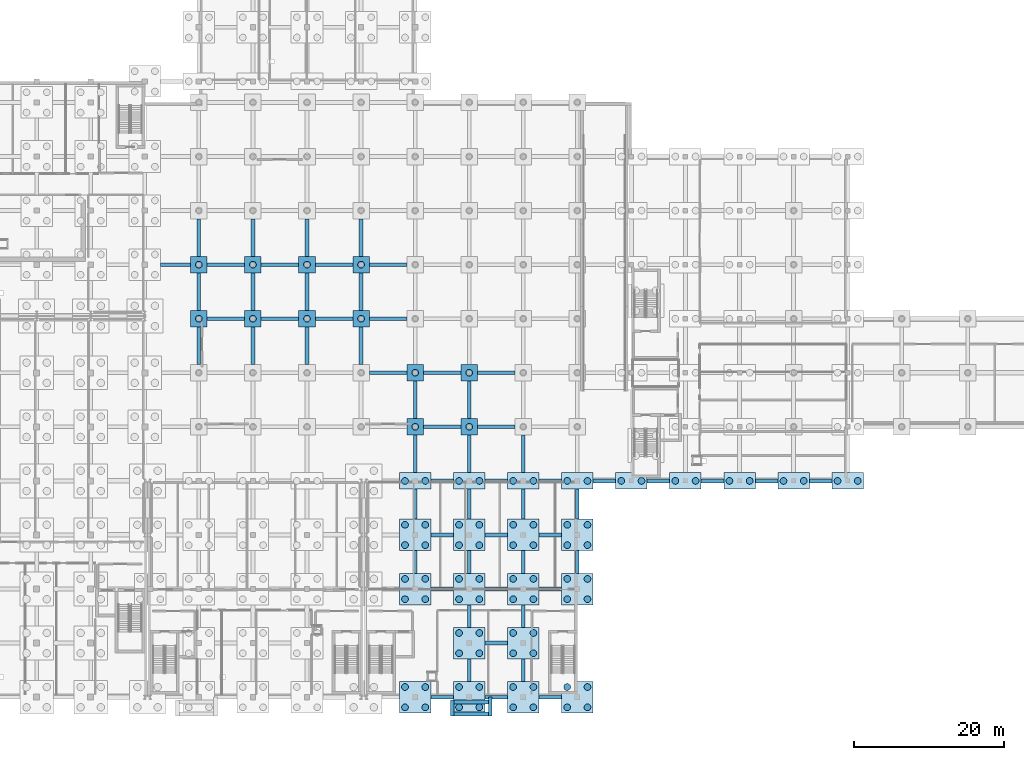
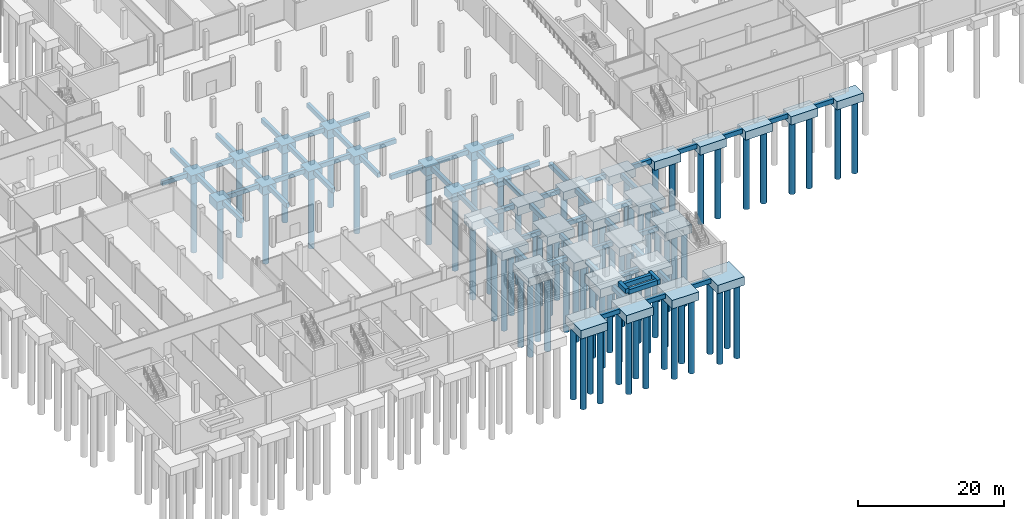
# One storey, part 4 of 35: 100 footings, 86 piles.
"""IFC4 building model written with IfcOpenShell, lengths in metres."""

from ifc_helpers import new_model, si_unit, direction, frame, origin, origin_2d, place, context, subcontext, project, spatial, rectangle, circle, extrude, material, material_profile, profile_set, type_object, element, save


model = new_model("IFC4")

# Units and contexts
model_context = context("Model", 3, precision=1e-05, world=origin(), true_north=direction((0.0, 1.0)))
body_context = subcontext(model_context, "Body", "Model", "MODEL_VIEW")
ifc_project = project(units=[si_unit("LENGTHUNIT", "METRE"), si_unit("AREAUNIT", "SQUARE_METRE"), si_unit("VOLUMEUNIT", "CUBIC_METRE"), si_unit("PLANEANGLEUNIT", "RADIAN"), si_unit("MASSUNIT", "GRAM", prefix="KILO")], contexts=[model_context])

# Site, building, storey
site_placement = place(None, origin())
site = spatial("IfcSite", under=ifc_project, at=site_placement, CompositionType="ELEMENT")
building_placement = place(site_placement, origin())
building = spatial("IfcBuilding", under=site, at=building_placement, Name="Zarrinpeak Specialist Clinic", CompositionType="ELEMENT")
storey_placement = place(building_placement, frame((0.0, 0.0, -4.800048828125)))
storey = spatial("IfcBuildingStorey", under=building, at=storey_placement, Name="B01", CompositionType="ELEMENT", Elevation=-4.800048828125)

# Footings
ifc_material = material(Name="Concrete C40/50", Category="concrete")
ifc_material_profile_1 = material_profile(ifc_material, rectangle(XDim=0.5, YDim=0.75, at=origin_2d()), Name="RC 500x750")
ifc_profile_set_1 = profile_set([ifc_material_profile_1], Name="Concrete C40/50")
footing_type_1 = type_object("IfcFootingType", Name="FT-GB1", PredefinedType="FOOTING_BEAM", material=ifc_profile_set_1)
for number, where, z_axis, x_axis, name in (
    (1, (66.89990234375, 0.0, -0.77490234375), (1.0, 0.0, 0.0), (0.0, 1.0, 0.0), "Continuous Ground Tie Beam GB-010"),
    (2, (74.10009765625, 0.0, -0.77490234375), (1.0, 0.0, 0.0), (0.0, 1.0, 0.0), "Continuous Ground Tie Beam GB-011"),
    (3, (81.300048828125, 0.0, -0.77490234375), (1.0, 0.0, 0.0), (0.0, 1.0, 0.0), "Continuous Ground Tie Beam GB-012"),
    (4, (74.10009765625, 7.199951171875, -0.77490234375), (1.0, 0.0, 0.0), (0.0, 1.0, 0.0), "Continuous Ground Tie Beam GB-017"),
    (5, (66.89990234375, 14.39990234375, -0.77490234375), (1.0, 0.0, 0.0), (0.0, 1.0, 0.0), "Continuous Ground Tie Beam GB-026"),
    (6, (74.10009765625, 14.39990234375, -0.77490234375), (1.0, 0.0, 0.0), (0.0, 1.0, 0.0), "Continuous Ground Tie Beam GB-027"),
    (7, (81.300048828125, 14.39990234375, -0.77490234375), (1.0, 0.0, 0.0), (0.0, 1.0, 0.0), "Continuous Ground Tie Beam GB-028"),
    (8, (66.89990234375, 21.60009765625, -0.77490234375), (1.0, 0.0, 0.0), (0.0, 1.0, 0.0), "Continuous Ground Tie Beam GB-038"),
    (9, (74.10009765625, 21.60009765625, -0.77490234375), (1.0, 0.0, 0.0), (0.0, 1.0, 0.0), "Continuous Ground Tie Beam GB-039"),
    (10, (81.300048828125, 21.60009765625, -0.77490234375), (1.0, 0.0, 0.0), (0.0, 1.0, 0.0), "Continuous Ground Tie Beam GB-040"),
    (11, (66.89990234375, 28.800048828125, -0.77490234375), (1.0, 0.0, 0.0), (0.0, 1.0, 0.0), "Continuous Ground Tie Beam GB-050"),
    (12, (74.10009765625, 28.800048828125, -0.77490234375), (1.0, 0.0, 0.0), (0.0, 1.0, 0.0), "Continuous Ground Tie Beam GB-051"),
    (13, (81.300048828125, 28.800048828125, -0.77490234375), (1.0, 0.0, 0.0), (0.0, 1.0, 0.0), "Continuous Ground Tie Beam GB-052"),
    (14, (88.5, 28.800048828125, -0.77490234375), (1.0, 0.0, 0.0), (0.0, 1.0, 0.0), "Continuous Ground Tie Beam GB-053"),
    (15, (95.699951171875, 28.800048828125, -0.77490234375), (1.0, 0.0, 0.0), (0.0, 1.0, 0.0), "Continuous Ground Tie Beam GB-054"),
    (16, (102.89990234375, 28.800048828125, -0.77490234375), (1.0, 0.0, 0.0), (0.0, 1.0, 0.0), "Continuous Ground Tie Beam GB-055"),
    (17, (110.10009765625, 28.800048828125, -0.77490234375), (1.0, 0.0, 0.0), (0.0, 1.0, 0.0), "Continuous Ground Tie Beam GB-056"),
    (18, (117.300048828125, 28.800048828125, -0.77490234375), (1.0, 0.0, 0.0), (0.0, 1.0, 0.0), "Continuous Ground Tie Beam GB-057"),
):
    element("IfcFooting", number, at=place(storey_placement, frame(where, z_axis=z_axis, x_axis=x_axis)), inside=storey, type_object=footing_type_1, Name=name, PredefinedType="FOOTING_BEAM", context=body_context, shape_type="SweptSolid", body=[
        extrude(rectangle(XDim=0.5, YDim=0.75, at=origin_2d()), origin(), (0.0, 0.0, 1.0), 3.0),
    ])
for number, where, z_axis, x_axis, name in (
    (19, (65.89990234375, 36.0, -0.77490234375), (1.0, 0.0, 0.0), (0.0, 1.0, 0.0), "Continuous Ground Tie Beam GB-067"),
    (20, (73.10009765625, 36.0, -0.77490234375), (1.0, 0.0, 0.0), (0.0, 1.0, 0.0), "Continuous Ground Tie Beam GB-068"),
    (21, (58.699951171875, 43.199951171875, -0.77490234375), (1.0, 0.0, 0.0), (0.0, 1.0, 0.0), "Continuous Ground Tie Beam GB-088"),
    (22, (65.89990234375, 43.199951171875, -0.77490234375), (1.0, 0.0, 0.0), (0.0, 1.0, 0.0), "Continuous Ground Tie Beam GB-089"),
    (23, (73.10009765625, 43.199951171875, -0.77490234375), (1.0, 0.0, 0.0), (0.0, 1.0, 0.0), "Continuous Ground Tie Beam GB-090"),
    (24, (37.10009765625, 50.39990234375, -0.77490234375), (1.0, 0.0, 0.0), (0.0, 1.0, 0.0), "Continuous Ground Tie Beam GB-104"),
    (25, (44.300048828125, 50.39990234375, -0.77490234375), (1.0, 0.0, 0.0), (0.0, 1.0, 0.0), "Continuous Ground Tie Beam GB-105"),
    (26, (51.5, 50.39990234375, -0.77490234375), (1.0, 0.0, 0.0), (0.0, 1.0, 0.0), "Continuous Ground Tie Beam GB-106"),
    (27, (58.699951171875, 50.39990234375, -0.77490234375), (1.0, 0.0, 0.0), (0.0, 1.0, 0.0), "Continuous Ground Tie Beam GB-107"),
):
    element("IfcFooting", number, at=place(storey_placement, frame(where, z_axis=z_axis, x_axis=x_axis)), inside=storey, type_object=footing_type_1, Name=name, PredefinedType="FOOTING_BEAM", context=body_context, shape_type="SweptSolid", body=[
        extrude(rectangle(XDim=0.5, YDim=0.75, at=origin_2d()), origin(), (0.0, 0.0, 1.0), 5.0),
    ])
footing_1_placement = place(storey_placement, frame((30.89990234375, 57.60009765625, -0.77490234375), z_axis=(1.0, 0.0, 0.0), x_axis=(0.0, 1.0, 0.0)))
element("IfcFooting", 28, at=footing_1_placement, inside=storey, type_object=footing_type_1, Name="Continuous Ground Tie Beam GB-129", PredefinedType="FOOTING_BEAM", context=body_context, shape_type="SweptSolid", body=[
    extrude(rectangle(XDim=0.5, YDim=0.75, at=origin_2d()), origin(), (0.0, 0.0, 1.0), 4.0),
])
for number, where, z_axis, x_axis, name in (
    (29, (37.10009765625, 57.60009765625, -0.77490234375), (1.0, 0.0, 0.0), (0.0, 1.0, 0.0), "Continuous Ground Tie Beam GB-130"),
    (30, (44.300048828125, 57.60009765625, -0.77490234375), (1.0, 0.0, 0.0), (0.0, 1.0, 0.0), "Continuous Ground Tie Beam GB-131"),
    (31, (51.5, 57.60009765625, -0.77490234375), (1.0, 0.0, 0.0), (0.0, 1.0, 0.0), "Continuous Ground Tie Beam GB-132"),
    (32, (58.699951171875, 57.60009765625, -0.77490234375), (1.0, 0.0, 0.0), (0.0, 1.0, 0.0), "Continuous Ground Tie Beam GB-133"),
    (33, (36.0, 44.300048828125, -0.77490234375), (0.0, 1.0, 0.0), (-1.0, 0.0, 0.0), "Continuous Ground Tie Beam GB-260"),
    (34, (36.0, 51.5, -0.77490234375), (0.0, 1.0, 0.0), (-1.0, 0.0, 0.0), "Continuous Ground Tie Beam GB-261"),
    (35, (36.0, 58.699951171875, -0.77490234375), (0.0, 1.0, 0.0), (-1.0, 0.0, 0.0), "Continuous Ground Tie Beam GB-262"),
    (36, (43.199951171875, 44.300048828125, -0.77490234375), (0.0, 1.0, 0.0), (-1.0, 0.0, 0.0), "Continuous Ground Tie Beam GB-274"),
    (37, (43.199951171875, 51.5, -0.77490234375), (0.0, 1.0, 0.0), (-1.0, 0.0, 0.0), "Continuous Ground Tie Beam GB-275"),
    (38, (43.199951171875, 58.699951171875, -0.77490234375), (0.0, 1.0, 0.0), (-1.0, 0.0, 0.0), "Continuous Ground Tie Beam GB-276"),
    (39, (50.39990234375, 44.300048828125, -0.77490234375), (0.0, 1.0, 0.0), (-1.0, 0.0, 0.0), "Continuous Ground Tie Beam GB-290"),
    (40, (50.39990234375, 51.5, -0.77490234375), (0.0, 1.0, 0.0), (-1.0, 0.0, 0.0), "Continuous Ground Tie Beam GB-291"),
    (41, (50.39990234375, 58.699951171875, -0.77490234375), (0.0, 1.0, 0.0), (-1.0, 0.0, 0.0), "Continuous Ground Tie Beam GB-292"),
    (42, (57.60009765625, 44.300048828125, -0.77490234375), (0.0, 1.0, 0.0), (-1.0, 0.0, 0.0), "Continuous Ground Tie Beam GB-301"),
    (43, (57.60009765625, 51.5, -0.77490234375), (0.0, 1.0, 0.0), (-1.0, 0.0, 0.0), "Continuous Ground Tie Beam GB-302"),
    (44, (57.60009765625, 58.699951171875, -0.77490234375), (0.0, 1.0, 0.0), (-1.0, 0.0, 0.0), "Continuous Ground Tie Beam GB-303"),
):
    element("IfcFooting", number, at=place(storey_placement, frame(where, z_axis=z_axis, x_axis=x_axis)), inside=storey, type_object=footing_type_1, Name=name, PredefinedType="FOOTING_BEAM", context=body_context, shape_type="SweptSolid", body=[
        extrude(rectangle(XDim=0.5, YDim=0.75, at=origin_2d()), origin(), (0.0, 0.0, 1.0), 5.0),
    ])
footing_2_placement = place(storey_placement, frame((64.800048828125, 16.5, -0.77490234375), z_axis=(0.0, 1.0, 0.0), x_axis=(-1.0, 0.0, 0.0)))
element("IfcFooting", 45, at=footing_2_placement, inside=storey, type_object=footing_type_1, Name="Continuous Ground Tie Beam GB-313", PredefinedType="FOOTING_BEAM", context=body_context, shape_type="SweptSolid", body=[
    extrude(rectangle(XDim=0.5, YDim=0.75, at=origin_2d()), origin(), (0.0, 0.0, 1.0), 3.0),
])
footing_3_placement = place(storey_placement, frame((64.800048828125, 23.699951171875, -0.77490234375), z_axis=(0.0, 1.0, 0.0), x_axis=(-1.0, 0.0, 0.0)))
element("IfcFooting", 46, at=footing_3_placement, inside=storey, type_object=footing_type_1, Name="Continuous Ground Tie Beam GB-314", PredefinedType="FOOTING_BEAM", context=body_context, shape_type="SweptSolid", body=[
    extrude(rectangle(XDim=0.5, YDim=0.75, at=origin_2d()), origin(), (0.0, 0.0, 1.0), 4.0),
])
for number, where, z_axis, x_axis, name in (
    (47, (64.800048828125, 29.89990234375, -0.77490234375), (0.0, 1.0, 0.0), (-1.0, 0.0, 0.0), "Continuous Ground Tie Beam GB-315"),
    (48, (64.800048828125, 37.10009765625, -0.77490234375), (0.0, 1.0, 0.0), (-1.0, 0.0, 0.0), "Continuous Ground Tie Beam GB-316"),
):
    element("IfcFooting", number, at=place(storey_placement, frame(where, z_axis=z_axis, x_axis=x_axis)), inside=storey, type_object=footing_type_1, Name=name, PredefinedType="FOOTING_BEAM", context=body_context, shape_type="SweptSolid", body=[
        extrude(rectangle(XDim=0.5, YDim=0.75, at=origin_2d()), origin(), (0.0, 0.0, 1.0), 5.0),
    ])
for number, where, z_axis, x_axis, name in (
    (49, (72.0, 2.10009765625, -0.77490234375), (0.0, 1.0, 0.0), (-1.0, 0.0, 0.0), "Continuous Ground Tie Beam GB-325"),
    (50, (72.0, 9.300048828125, -0.77490234375), (0.0, 1.0, 0.0), (-1.0, 0.0, 0.0), "Continuous Ground Tie Beam GB-326"),
    (51, (72.0, 16.5, -0.77490234375), (0.0, 1.0, 0.0), (-1.0, 0.0, 0.0), "Continuous Ground Tie Beam GB-327"),
):
    element("IfcFooting", number, at=place(storey_placement, frame(where, z_axis=z_axis, x_axis=x_axis)), inside=storey, type_object=footing_type_1, Name=name, PredefinedType="FOOTING_BEAM", context=body_context, shape_type="SweptSolid", body=[
        extrude(rectangle(XDim=0.5, YDim=0.75, at=origin_2d()), origin(), (0.0, 0.0, 1.0), 3.0),
    ])
footing_4_placement = place(storey_placement, frame((72.0, 23.699951171875, -0.77490234375), z_axis=(0.0, 1.0, 0.0), x_axis=(-1.0, 0.0, 0.0)))
element("IfcFooting", 52, at=footing_4_placement, inside=storey, type_object=footing_type_1, Name="Continuous Ground Tie Beam GB-328", PredefinedType="FOOTING_BEAM", context=body_context, shape_type="SweptSolid", body=[
    extrude(rectangle(XDim=0.5, YDim=0.75, at=origin_2d()), origin(), (0.0, 0.0, 1.0), 4.0),
])
for number, where, z_axis, x_axis, name in (
    (53, (72.0, 29.89990234375, -0.77490234375), (0.0, 1.0, 0.0), (-1.0, 0.0, 0.0), "Continuous Ground Tie Beam GB-329"),
    (54, (72.0, 37.10009765625, -0.77490234375), (0.0, 1.0, 0.0), (-1.0, 0.0, 0.0), "Continuous Ground Tie Beam GB-330"),
):
    element("IfcFooting", number, at=place(storey_placement, frame(where, z_axis=z_axis, x_axis=x_axis)), inside=storey, type_object=footing_type_1, Name=name, PredefinedType="FOOTING_BEAM", context=body_context, shape_type="SweptSolid", body=[
        extrude(rectangle(XDim=0.5, YDim=0.75, at=origin_2d()), origin(), (0.0, 0.0, 1.0), 5.0),
    ])
for number, where, z_axis, x_axis, name in (
    (55, (79.199951171875, 2.10009765625, -0.77490234375), (0.0, 1.0, 0.0), (-1.0, 0.0, 0.0), "Continuous Ground Tie Beam GB-336"),
    (56, (79.199951171875, 9.300048828125, -0.77490234375), (0.0, 1.0, 0.0), (-1.0, 0.0, 0.0), "Continuous Ground Tie Beam GB-337"),
    (57, (79.199951171875, 16.5, -0.77490234375), (0.0, 1.0, 0.0), (-1.0, 0.0, 0.0), "Continuous Ground Tie Beam GB-338"),
):
    element("IfcFooting", number, at=place(storey_placement, frame(where, z_axis=z_axis, x_axis=x_axis)), inside=storey, type_object=footing_type_1, Name=name, PredefinedType="FOOTING_BEAM", context=body_context, shape_type="SweptSolid", body=[
        extrude(rectangle(XDim=0.5, YDim=0.75, at=origin_2d()), origin(), (0.0, 0.0, 1.0), 3.0),
    ])
footing_5_placement = place(storey_placement, frame((79.199951171875, 23.699951171875, -0.77490234375), z_axis=(0.0, 1.0, 0.0), x_axis=(-1.0, 0.0, 0.0)))
element("IfcFooting", 58, at=footing_5_placement, inside=storey, type_object=footing_type_1, Name="Continuous Ground Tie Beam GB-339", PredefinedType="FOOTING_BEAM", context=body_context, shape_type="SweptSolid", body=[
    extrude(rectangle(XDim=0.5, YDim=0.75, at=origin_2d()), origin(), (0.0, 0.0, 1.0), 4.0),
])
footing_6_placement = place(storey_placement, frame((79.199951171875, 29.89990234375, -0.77490234375), z_axis=(0.0, 1.0, 0.0), x_axis=(-1.0, 0.0, 0.0)))
element("IfcFooting", 59, at=footing_6_placement, inside=storey, type_object=footing_type_1, Name="Continuous Ground Tie Beam GB-340", PredefinedType="FOOTING_BEAM", context=body_context, shape_type="SweptSolid", body=[
    extrude(rectangle(XDim=0.5, YDim=0.75, at=origin_2d()), origin(), (0.0, 0.0, 1.0), 5.0),
])
footing_7_placement = place(storey_placement, frame((86.39990234375, 16.5, -0.77490234375), z_axis=(0.0, 1.0, 0.0), x_axis=(-1.0, 0.0, 0.0)))
element("IfcFooting", 60, at=footing_7_placement, inside=storey, type_object=footing_type_1, Name="Continuous Ground Tie Beam GB-347", PredefinedType="FOOTING_BEAM", context=body_context, shape_type="SweptSolid", body=[
    extrude(rectangle(XDim=0.5, YDim=0.75, at=origin_2d()), origin(), (0.0, 0.0, 1.0), 3.0),
])
footing_8_placement = place(storey_placement, frame((86.39990234375, 23.699951171875, -0.77490234375), z_axis=(0.0, 1.0, 0.0), x_axis=(-1.0, 0.0, 0.0)))
element("IfcFooting", 61, at=footing_8_placement, inside=storey, type_object=footing_type_1, Name="Continuous Ground Tie Beam GB-348", PredefinedType="FOOTING_BEAM", context=body_context, shape_type="SweptSolid", body=[
    extrude(rectangle(XDim=0.5, YDim=0.75, at=origin_2d()), origin(), (0.0, 0.0, 1.0), 4.0),
])
footing_9_placement = place(storey_placement, frame((69.75, -2.5, 4.025146484375), z_axis=(0.0, 1.0, 0.0), x_axis=(-1.0, 0.0, 0.0)))
element("IfcFooting", 62, at=footing_9_placement, inside=storey, type_object=footing_type_1, Name="Accessible Ramp Tie Footing Beam GB-R-ACC3", PredefinedType="FOOTING_BEAM", context=body_context, shape_type="SweptSolid", body=[
    extrude(rectangle(XDim=0.5, YDim=0.75, at=origin_2d()), origin(), (0.0, 0.0, 1.0), 2.10009765625),
])
for number, where, z_axis, x_axis, name in (
    (63, (70.0, -0.64990234375, 3.72509765625), (1.0, 0.0, 0.0), (0.0, 1.0, 0.0), "Accessible Ramp Tie Footing Beam GB-R-ACC3-N"),
    (64, (70.0, -2.25, 3.72509765625), (1.0, 0.0, 0.0), (0.0, 1.0, 0.0), "Accessible Ramp Tie Footing Beam GB-R-ACC3-S"),
):
    element("IfcFooting", number, at=place(storey_placement, frame(where, z_axis=z_axis, x_axis=x_axis)), inside=storey, type_object=footing_type_1, Name=name, PredefinedType="FOOTING_BEAM", context=body_context, shape_type="SweptSolid", body=[
        extrude(rectangle(XDim=0.5, YDim=0.75, at=origin_2d()), origin(), (0.0, 0.0, 1.0), 4.550048828125),
    ])
footing_10_placement = place(storey_placement, frame((74.800048828125, -2.5, 3.72509765625), z_axis=(0.0, 1.0, 0.0), x_axis=(-1.0, 0.0, 0.0)))
element("IfcFooting", 65, at=footing_10_placement, inside=storey, type_object=footing_type_1, Name="Accessible Ramp Tie Footing Beam GB-R-ACC3-E", PredefinedType="FOOTING_BEAM", context=body_context, shape_type="SweptSolid", body=[
    extrude(rectangle(XDim=0.5, YDim=0.75, at=origin_2d()), origin(), (0.0, 0.0, 1.0), 2.5),
])
footing_type_2 = type_object("IfcFootingType", Name="FT-PC1", PredefinedType="PILE_CAP", material=ifc_material)
for number, where, z_axis, x_axis, name in (
    (66, (36.0, 50.39990234375, -1.7998046875), (0.0, 0.0, 1.0), (1.0, 0.0, 0.0), "Combined Pile Cap CAP-065 (B01-C1)"),
    (67, (36.0, 57.60009765625, -1.7998046875), (0.0, 0.0, 1.0), (1.0, 0.0, 0.0), "Combined Pile Cap CAP-066 (B01-C1)"),
    (68, (43.199951171875, 50.39990234375, -1.7998046875), (0.0, 0.0, 1.0), (1.0, 0.0, 0.0), "Combined Pile Cap CAP-082 (B01-C1)"),
    (69, (43.199951171875, 57.60009765625, -1.7998046875), (0.0, 0.0, 1.0), (1.0, 0.0, 0.0), "Combined Pile Cap CAP-083 (B01-C1)"),
    (70, (50.39990234375, 50.39990234375, -1.7998046875), (0.0, 0.0, 1.0), (1.0, 0.0, 0.0), "Combined Pile Cap CAP-100 (B01-C1)"),
    (71, (50.39990234375, 57.60009765625, -1.7998046875), (0.0, 0.0, 1.0), (1.0, 0.0, 0.0), "Combined Pile Cap CAP-101 (B01-C1)"),
    (72, (57.60009765625, 50.39990234375, -1.7998046875), (0.0, 0.0, 1.0), (1.0, 0.0, 0.0), "Combined Pile Cap CAP-117 (B01-C1)"),
    (73, (57.60009765625, 57.60009765625, -1.7998046875), (0.0, 0.0, 1.0), (1.0, 0.0, 0.0), "Combined Pile Cap CAP-118 (B01-C1)"),
    (74, (64.800048828125, 36.0, -1.7998046875), (0.0, 0.0, 1.0), (1.0, 0.0, 0.0), "Combined Pile Cap CAP-132 (B01-C1)"),
    (75, (64.800048828125, 43.199951171875, -1.7998046875), (0.0, 0.0, 1.0), (1.0, 0.0, 0.0), "Combined Pile Cap CAP-133 (B01-C1)"),
    (76, (72.0, 36.0, -1.7998046875), (0.0, 0.0, 1.0), (1.0, 0.0, 0.0), "Combined Pile Cap CAP-149 (B01-C1)"),
    (77, (72.0, 43.199951171875, -1.7998046875), (0.0, 0.0, 1.0), (1.0, 0.0, 0.0), "Combined Pile Cap CAP-150 (B01-C1)"),
):
    element("IfcFooting", number, at=place(storey_placement, frame(where, z_axis=z_axis, x_axis=x_axis)), inside=storey, type_object=footing_type_2, Name=name, PredefinedType="PILE_CAP", context=body_context, shape_type="SweptSolid", body=[
        extrude(rectangle(XDim=2.199951171875, YDim=2.199951171875, at=origin_2d()), origin(), (0.0, 0.0, 1.0), 1.39990234375),
    ])
footing_type_3 = type_object("IfcFootingType", Name="FT-PC2", PredefinedType="PILE_CAP", material=ifc_material)
for number, where, z_axis, x_axis, name in (
    (78, (64.800048828125, 28.800048828125, -1.7998046875), (0.0, 0.0, 1.0), (1.0, 0.0, 0.0), "Combined Pile Cap CAP-131 (V4)"),
    (79, (72.0, 28.800048828125, -1.7998046875), (0.0, 0.0, 1.0), (1.0, 0.0, 0.0), "Combined Pile Cap CAP-148 (V4)"),
    (80, (79.199951171875, 28.800048828125, -1.7998046875), (0.0, 0.0, 1.0), (1.0, 0.0, 0.0), "Combined Pile Cap CAP-160 (V4)"),
    (81, (86.39990234375, 28.800048828125, -1.7998046875), (0.0, 0.0, 1.0), (1.0, 0.0, 0.0), "Combined Pile Cap CAP-171 (V4)"),
    (82, (93.60009765625, 28.800048828125, -1.7998046875), (0.0, 0.0, 1.0), (1.0, 0.0, 0.0), "Combined Pile Cap CAP-179 (V3)"),
    (83, (100.800048828125, 28.800048828125, -1.7998046875), (0.0, 0.0, 1.0), (1.0, 0.0, 0.0), "Combined Pile Cap CAP-184 (V3)"),
    (84, (108.0, 28.800048828125, -1.7998046875), (0.0, 0.0, 1.0), (1.0, 0.0, 0.0), "Combined Pile Cap CAP-191 (V3)"),
    (85, (115.199951171875, 28.800048828125, -1.7998046875), (0.0, 0.0, 1.0), (1.0, 0.0, 0.0), "Combined Pile Cap CAP-198 (V3)"),
    (86, (122.39990234375, 28.800048828125, -1.7998046875), (0.0, 0.0, 1.0), (1.0, 0.0, 0.0), "Combined Pile Cap CAP-205 (V3)"),
):
    element("IfcFooting", number, at=place(storey_placement, frame(where, z_axis=z_axis, x_axis=x_axis)), inside=storey, type_object=footing_type_3, Name=name, PredefinedType="PILE_CAP", context=body_context, shape_type="SweptSolid", body=[
        extrude(rectangle(XDim=4.199951171875, YDim=2.199951171875, at=origin_2d()), origin(), (0.0, 0.0, 1.0), 1.39990234375),
    ])
footing_type_4 = type_object("IfcFootingType", Name="FT-PC3", PredefinedType="PILE_CAP", material=ifc_material)
for number, where, z_axis, x_axis, name in (
    (87, (64.800048828125, 0.0, -1.7998046875), (0.0, 0.0, 1.0), (1.0, 0.0, 0.0), "Combined Pile Cap CAP-128 (V4)"),
    (88, (64.800048828125, 14.39990234375, -1.7998046875), (0.0, 0.0, 1.0), (1.0, 0.0, 0.0), "Combined Pile Cap CAP-129 (V4)"),
    (89, (64.800048828125, 21.60009765625, -1.7998046875), (0.0, 0.0, 1.0), (1.0, 0.0, 0.0), "Combined Pile Cap CAP-130 (V4)"),
    (90, (72.0, 0.0, -1.7998046875), (0.0, 0.0, 1.0), (1.0, 0.0, 0.0), "Combined Pile Cap CAP-144 (V4)"),
    (91, (72.0, 7.199951171875, -1.7998046875), (0.0, 0.0, 1.0), (1.0, 0.0, 0.0), "Combined Pile Cap CAP-145 (V4)"),
    (92, (72.0, 14.39990234375, -1.7998046875), (0.0, 0.0, 1.0), (1.0, 0.0, 0.0), "Combined Pile Cap CAP-146 (V4)"),
    (93, (72.0, 21.60009765625, -1.7998046875), (0.0, 0.0, 1.0), (1.0, 0.0, 0.0), "Combined Pile Cap CAP-147 (V4)"),
    (94, (79.199951171875, 0.0, -1.7998046875), (0.0, 0.0, 1.0), (1.0, 0.0, 0.0), "Combined Pile Cap CAP-156 (V4)"),
    (95, (79.199951171875, 7.199951171875, -1.7998046875), (0.0, 0.0, 1.0), (1.0, 0.0, 0.0), "Combined Pile Cap CAP-157 (V4)"),
    (96, (79.199951171875, 14.39990234375, -1.7998046875), (0.0, 0.0, 1.0), (1.0, 0.0, 0.0), "Combined Pile Cap CAP-158 (V4)"),
    (97, (79.199951171875, 21.60009765625, -1.7998046875), (0.0, 0.0, 1.0), (1.0, 0.0, 0.0), "Combined Pile Cap CAP-159 (V4)"),
    (98, (86.39990234375, 0.0, -1.7998046875), (0.0, 0.0, 1.0), (1.0, 0.0, 0.0), "Combined Pile Cap CAP-168 (V4)"),
    (99, (86.39990234375, 14.39990234375, -1.7998046875), (0.0, 0.0, 1.0), (1.0, 0.0, 0.0), "Combined Pile Cap CAP-169 (V4)"),
    (100, (86.39990234375, 21.60009765625, -1.7998046875), (0.0, 0.0, 1.0), (1.0, 0.0, 0.0), "Combined Pile Cap CAP-170 (V4)"),
):
    element("IfcFooting", number, at=place(storey_placement, frame(where, z_axis=z_axis, x_axis=x_axis)), inside=storey, type_object=footing_type_4, Name=name, PredefinedType="PILE_CAP", context=body_context, shape_type="SweptSolid", body=[
        extrude(rectangle(XDim=4.199951171875, YDim=4.199951171875, at=origin_2d()), origin(), (0.0, 0.0, 1.0), 1.39990234375),
    ])

# Piles
ifc_material_profile_2 = material_profile(ifc_material, circle(Radius=0.449951171875, at=origin_2d()), Name="BORED PILE D900")
ifc_profile_set_2 = profile_set([ifc_material_profile_2], Name="Concrete C40/50")
pile_type = type_object("IfcPileType", Name="PL-D900", PredefinedType="BORED", material=ifc_profile_set_2)
for number, where, z_axis, x_axis, name in (
    (101, (36.0, 50.39990234375, -1.699951171875), (0.0, 0.0, -1.0), (1.0, 0.0, 0.0), "Bored Foundation Pile FP-065-1"),
    (102, (36.0, 57.60009765625, -1.699951171875), (0.0, 0.0, -1.0), (1.0, 0.0, 0.0), "Bored Foundation Pile FP-066-1"),
    (103, (43.199951171875, 50.39990234375, -1.699951171875), (0.0, 0.0, -1.0), (1.0, 0.0, 0.0), "Bored Foundation Pile FP-082-1"),
    (104, (43.199951171875, 57.60009765625, -1.699951171875), (0.0, 0.0, -1.0), (1.0, 0.0, 0.0), "Bored Foundation Pile FP-083-1"),
    (105, (50.39990234375, 50.39990234375, -1.699951171875), (0.0, 0.0, -1.0), (1.0, 0.0, 0.0), "Bored Foundation Pile FP-100-1"),
    (106, (50.39990234375, 57.60009765625, -1.699951171875), (0.0, 0.0, -1.0), (1.0, 0.0, 0.0), "Bored Foundation Pile FP-101-1"),
    (107, (57.60009765625, 50.39990234375, -1.699951171875), (0.0, 0.0, -1.0), (1.0, 0.0, 0.0), "Bored Foundation Pile FP-117-1"),
    (108, (57.60009765625, 57.60009765625, -1.699951171875), (0.0, 0.0, -1.0), (1.0, 0.0, 0.0), "Bored Foundation Pile FP-118-1"),
    (109, (63.449951171875, -1.35009765625, -1.699951171875), (0.0, 0.0, -1.0), (1.0, 0.0, 0.0), "Bored Foundation Pile FP-128-1"),
    (110, (66.14990234375, -1.35009765625, -1.699951171875), (0.0, 0.0, -1.0), (1.0, 0.0, 0.0), "Bored Foundation Pile FP-128-2"),
    (111, (63.449951171875, 1.35009765625, -1.699951171875), (0.0, 0.0, -1.0), (1.0, 0.0, 0.0), "Bored Foundation Pile FP-128-3"),
    (112, (66.14990234375, 1.35009765625, -1.699951171875), (0.0, 0.0, -1.0), (1.0, 0.0, 0.0), "Bored Foundation Pile FP-128-4"),
    (113, (63.449951171875, 13.050048828125, -1.699951171875), (0.0, 0.0, -1.0), (1.0, 0.0, 0.0), "Bored Foundation Pile FP-129-1"),
    (114, (66.14990234375, 13.050048828125, -1.699951171875), (0.0, 0.0, -1.0), (1.0, 0.0, 0.0), "Bored Foundation Pile FP-129-2"),
    (115, (63.449951171875, 15.75, -1.699951171875), (0.0, 0.0, -1.0), (1.0, 0.0, 0.0), "Bored Foundation Pile FP-129-3"),
    (116, (66.14990234375, 15.75, -1.699951171875), (0.0, 0.0, -1.0), (1.0, 0.0, 0.0), "Bored Foundation Pile FP-129-4"),
    (117, (63.449951171875, 20.25, -1.699951171875), (0.0, 0.0, -1.0), (1.0, 0.0, 0.0), "Bored Foundation Pile FP-130-1"),
    (118, (66.14990234375, 20.25, -1.699951171875), (0.0, 0.0, -1.0), (1.0, 0.0, 0.0), "Bored Foundation Pile FP-130-2"),
    (119, (63.449951171875, 22.949951171875, -1.699951171875), (0.0, 0.0, -1.0), (1.0, 0.0, 0.0), "Bored Foundation Pile FP-130-3"),
    (120, (66.14990234375, 22.949951171875, -1.699951171875), (0.0, 0.0, -1.0), (1.0, 0.0, 0.0), "Bored Foundation Pile FP-130-4"),
    (121, (63.449951171875, 28.800048828125, -1.699951171875), (0.0, 0.0, -1.0), (1.0, 0.0, 0.0), "Bored Foundation Pile FP-131-1"),
    (122, (66.14990234375, 28.800048828125, -1.699951171875), (0.0, 0.0, -1.0), (1.0, 0.0, 0.0), "Bored Foundation Pile FP-131-2"),
    (123, (64.800048828125, 36.0, -1.699951171875), (0.0, 0.0, -1.0), (1.0, 0.0, 0.0), "Bored Foundation Pile FP-132-1"),
    (124, (64.800048828125, 43.199951171875, -1.699951171875), (0.0, 0.0, -1.0), (1.0, 0.0, 0.0), "Bored Foundation Pile FP-133-1"),
    (125, (70.64990234375, -1.35009765625, -1.699951171875), (0.0, 0.0, -1.0), (1.0, 0.0, 0.0), "Bored Foundation Pile FP-144-1"),
    (126, (73.35009765625, -1.35009765625, -1.699951171875), (0.0, 0.0, -1.0), (1.0, 0.0, 0.0), "Bored Foundation Pile FP-144-2"),
    (127, (70.64990234375, 1.35009765625, -1.699951171875), (0.0, 0.0, -1.0), (1.0, 0.0, 0.0), "Bored Foundation Pile FP-144-3"),
    (128, (73.35009765625, 1.35009765625, -1.699951171875), (0.0, 0.0, -1.0), (1.0, 0.0, 0.0), "Bored Foundation Pile FP-144-4"),
    (129, (70.64990234375, 5.85009765625, -1.699951171875), (0.0, 0.0, -1.0), (1.0, 0.0, 0.0), "Bored Foundation Pile FP-145-1"),
    (130, (73.35009765625, 5.85009765625, -1.699951171875), (0.0, 0.0, -1.0), (1.0, 0.0, 0.0), "Bored Foundation Pile FP-145-2"),
    (131, (70.64990234375, 8.550048828125, -1.699951171875), (0.0, 0.0, -1.0), (1.0, 0.0, 0.0), "Bored Foundation Pile FP-145-3"),
    (132, (73.35009765625, 8.550048828125, -1.699951171875), (0.0, 0.0, -1.0), (1.0, 0.0, 0.0), "Bored Foundation Pile FP-145-4"),
    (133, (70.64990234375, 13.050048828125, -1.699951171875), (0.0, 0.0, -1.0), (1.0, 0.0, 0.0), "Bored Foundation Pile FP-146-1"),
    (134, (73.35009765625, 13.050048828125, -1.699951171875), (0.0, 0.0, -1.0), (1.0, 0.0, 0.0), "Bored Foundation Pile FP-146-2"),
    (135, (70.64990234375, 15.75, -1.699951171875), (0.0, 0.0, -1.0), (1.0, 0.0, 0.0), "Bored Foundation Pile FP-146-3"),
    (136, (73.35009765625, 15.75, -1.699951171875), (0.0, 0.0, -1.0), (1.0, 0.0, 0.0), "Bored Foundation Pile FP-146-4"),
    (137, (70.64990234375, 20.25, -1.699951171875), (0.0, 0.0, -1.0), (1.0, 0.0, 0.0), "Bored Foundation Pile FP-147-1"),
    (138, (73.35009765625, 20.25, -1.699951171875), (0.0, 0.0, -1.0), (1.0, 0.0, 0.0), "Bored Foundation Pile FP-147-2"),
    (139, (70.64990234375, 22.949951171875, -1.699951171875), (0.0, 0.0, -1.0), (1.0, 0.0, 0.0), "Bored Foundation Pile FP-147-3"),
    (140, (73.35009765625, 22.949951171875, -1.699951171875), (0.0, 0.0, -1.0), (1.0, 0.0, 0.0), "Bored Foundation Pile FP-147-4"),
    (141, (70.64990234375, 28.800048828125, -1.699951171875), (0.0, 0.0, -1.0), (1.0, 0.0, 0.0), "Bored Foundation Pile FP-148-1"),
    (142, (73.35009765625, 28.800048828125, -1.699951171875), (0.0, 0.0, -1.0), (1.0, 0.0, 0.0), "Bored Foundation Pile FP-148-2"),
    (143, (72.0, 36.0, -1.699951171875), (0.0, 0.0, -1.0), (1.0, 0.0, 0.0), "Bored Foundation Pile FP-149-1"),
    (144, (72.0, 43.199951171875, -1.699951171875), (0.0, 0.0, -1.0), (1.0, 0.0, 0.0), "Bored Foundation Pile FP-150-1"),
    (145, (77.85009765625, -1.35009765625, -1.699951171875), (0.0, 0.0, -1.0), (1.0, 0.0, 0.0), "Bored Foundation Pile FP-156-1"),
    (146, (80.550048828125, -1.35009765625, -1.699951171875), (0.0, 0.0, -1.0), (1.0, 0.0, 0.0), "Bored Foundation Pile FP-156-2"),
    (147, (77.85009765625, 1.35009765625, -1.699951171875), (0.0, 0.0, -1.0), (1.0, 0.0, 0.0), "Bored Foundation Pile FP-156-3"),
    (148, (80.550048828125, 1.35009765625, -1.699951171875), (0.0, 0.0, -1.0), (1.0, 0.0, 0.0), "Bored Foundation Pile FP-156-4"),
    (149, (77.85009765625, 5.85009765625, -1.699951171875), (0.0, 0.0, -1.0), (1.0, 0.0, 0.0), "Bored Foundation Pile FP-157-1"),
    (150, (80.550048828125, 5.85009765625, -1.699951171875), (0.0, 0.0, -1.0), (1.0, 0.0, 0.0), "Bored Foundation Pile FP-157-2"),
    (151, (77.85009765625, 8.550048828125, -1.699951171875), (0.0, 0.0, -1.0), (1.0, 0.0, 0.0), "Bored Foundation Pile FP-157-3"),
    (152, (80.550048828125, 8.550048828125, -1.699951171875), (0.0, 0.0, -1.0), (1.0, 0.0, 0.0), "Bored Foundation Pile FP-157-4"),
    (153, (77.85009765625, 13.050048828125, -1.699951171875), (0.0, 0.0, -1.0), (1.0, 0.0, 0.0), "Bored Foundation Pile FP-158-1"),
    (154, (80.550048828125, 13.050048828125, -1.699951171875), (0.0, 0.0, -1.0), (1.0, 0.0, 0.0), "Bored Foundation Pile FP-158-2"),
    (155, (77.85009765625, 15.75, -1.699951171875), (0.0, 0.0, -1.0), (1.0, 0.0, 0.0), "Bored Foundation Pile FP-158-3"),
    (156, (80.550048828125, 15.75, -1.699951171875), (0.0, 0.0, -1.0), (1.0, 0.0, 0.0), "Bored Foundation Pile FP-158-4"),
    (157, (77.85009765625, 20.25, -1.699951171875), (0.0, 0.0, -1.0), (1.0, 0.0, 0.0), "Bored Foundation Pile FP-159-1"),
    (158, (80.550048828125, 20.25, -1.699951171875), (0.0, 0.0, -1.0), (1.0, 0.0, 0.0), "Bored Foundation Pile FP-159-2"),
    (159, (77.85009765625, 22.949951171875, -1.699951171875), (0.0, 0.0, -1.0), (1.0, 0.0, 0.0), "Bored Foundation Pile FP-159-3"),
    (160, (80.550048828125, 22.949951171875, -1.699951171875), (0.0, 0.0, -1.0), (1.0, 0.0, 0.0), "Bored Foundation Pile FP-159-4"),
    (161, (77.85009765625, 28.800048828125, -1.699951171875), (0.0, 0.0, -1.0), (1.0, 0.0, 0.0), "Bored Foundation Pile FP-160-1"),
    (162, (80.550048828125, 28.800048828125, -1.699951171875), (0.0, 0.0, -1.0), (1.0, 0.0, 0.0), "Bored Foundation Pile FP-160-2"),
    (163, (85.050048828125, -1.35009765625, -1.699951171875), (0.0, 0.0, -1.0), (1.0, 0.0, 0.0), "Bored Foundation Pile FP-168-1"),
    (164, (87.75, -1.35009765625, -1.699951171875), (0.0, 0.0, -1.0), (1.0, 0.0, 0.0), "Bored Foundation Pile FP-168-2"),
    (165, (85.050048828125, 1.35009765625, -1.699951171875), (0.0, 0.0, -1.0), (1.0, 0.0, 0.0), "Bored Foundation Pile FP-168-3"),
    (166, (87.75, 1.35009765625, -1.699951171875), (0.0, 0.0, -1.0), (1.0, 0.0, 0.0), "Bored Foundation Pile FP-168-4"),
    (167, (85.050048828125, 13.050048828125, -1.699951171875), (0.0, 0.0, -1.0), (1.0, 0.0, 0.0), "Bored Foundation Pile FP-169-1"),
    (168, (87.75, 13.050048828125, -1.699951171875), (0.0, 0.0, -1.0), (1.0, 0.0, 0.0), "Bored Foundation Pile FP-169-2"),
    (169, (85.050048828125, 15.75, -1.699951171875), (0.0, 0.0, -1.0), (1.0, 0.0, 0.0), "Bored Foundation Pile FP-169-3"),
    (170, (87.75, 15.75, -1.699951171875), (0.0, 0.0, -1.0), (1.0, 0.0, 0.0), "Bored Foundation Pile FP-169-4"),
    (171, (85.050048828125, 20.25, -1.699951171875), (0.0, 0.0, -1.0), (1.0, 0.0, 0.0), "Bored Foundation Pile FP-170-1"),
    (172, (87.75, 20.25, -1.699951171875), (0.0, 0.0, -1.0), (1.0, 0.0, 0.0), "Bored Foundation Pile FP-170-2"),
    (173, (85.050048828125, 22.949951171875, -1.699951171875), (0.0, 0.0, -1.0), (1.0, 0.0, 0.0), "Bored Foundation Pile FP-170-3"),
    (174, (87.75, 22.949951171875, -1.699951171875), (0.0, 0.0, -1.0), (1.0, 0.0, 0.0), "Bored Foundation Pile FP-170-4"),
    (175, (85.050048828125, 28.800048828125, -1.699951171875), (0.0, 0.0, -1.0), (1.0, 0.0, 0.0), "Bored Foundation Pile FP-171-1"),
    (176, (87.75, 28.800048828125, -1.699951171875), (0.0, 0.0, -1.0), (1.0, 0.0, 0.0), "Bored Foundation Pile FP-171-2"),
    (177, (92.25, 28.800048828125, -1.699951171875), (0.0, 0.0, -1.0), (1.0, 0.0, 0.0), "Bored Foundation Pile FP-179-1"),
    (178, (94.949951171875, 28.800048828125, -1.699951171875), (0.0, 0.0, -1.0), (1.0, 0.0, 0.0), "Bored Foundation Pile FP-179-2"),
    (179, (99.449951171875, 28.800048828125, -1.699951171875), (0.0, 0.0, -1.0), (1.0, 0.0, 0.0), "Bored Foundation Pile FP-184-1"),
    (180, (102.14990234375, 28.800048828125, -1.699951171875), (0.0, 0.0, -1.0), (1.0, 0.0, 0.0), "Bored Foundation Pile FP-184-2"),
    (181, (106.64990234375, 28.800048828125, -1.699951171875), (0.0, 0.0, -1.0), (1.0, 0.0, 0.0), "Bored Foundation Pile FP-191-1"),
    (182, (109.35009765625, 28.800048828125, -1.699951171875), (0.0, 0.0, -1.0), (1.0, 0.0, 0.0), "Bored Foundation Pile FP-191-2"),
    (183, (113.85009765625, 28.800048828125, -1.699951171875), (0.0, 0.0, -1.0), (1.0, 0.0, 0.0), "Bored Foundation Pile FP-198-1"),
    (184, (116.550048828125, 28.800048828125, -1.699951171875), (0.0, 0.0, -1.0), (1.0, 0.0, 0.0), "Bored Foundation Pile FP-198-2"),
    (185, (121.050048828125, 28.800048828125, -1.699951171875), (0.0, 0.0, -1.0), (1.0, 0.0, 0.0), "Bored Foundation Pile FP-205-1"),
    (186, (123.75, 28.800048828125, -1.699951171875), (0.0, 0.0, -1.0), (1.0, 0.0, 0.0), "Bored Foundation Pile FP-205-2"),
):
    element("IfcPile", number, at=place(storey_placement, frame(where, z_axis=z_axis, x_axis=x_axis)), inside=storey, type_object=pile_type, Name=name, PredefinedType="BORED", context=body_context, shape_type="SweptSolid", body=[
        extrude(circle(Radius=0.449951171875, at=origin_2d()), origin(), (0.0, 0.0, 1.0), 12.300048828125),
    ])

save(model, "model.ifc")
